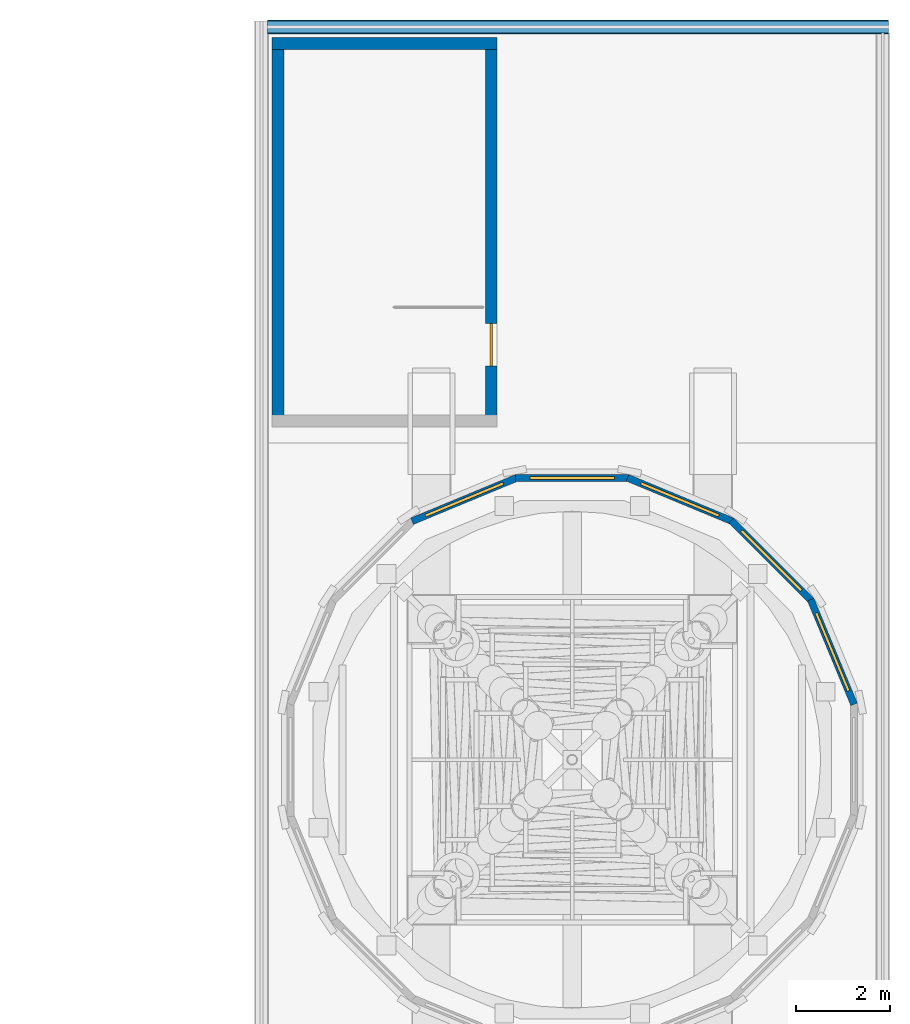
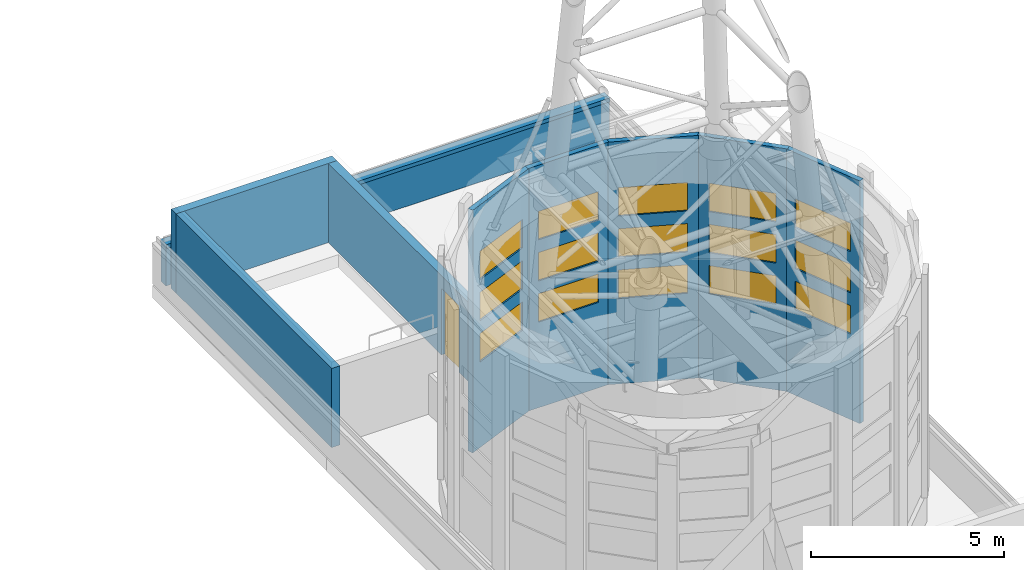
# One storey, part 15 of 36: 15 windows, 10 walls, 1 door, 16 openings.
"""IFC4 building model written with IfcOpenShell, lengths in metres."""

from ifc_helpers import new_model, si_unit, direction, frame, frame_2d, origin, place, context, subcontext, project, spatial, rectangle, extrude, material, layer, layer_set, type_object, element, fill, save


model = new_model("IFC4")

# Units and contexts
model_context = context("Model", 3, precision=1e-05, world=origin(), true_north=direction((0.0, 1.0)))
body_context = subcontext(model_context, "Body", "Model", "MODEL_VIEW")
ifc_project = project(units=[si_unit("LENGTHUNIT", "METRE"), si_unit("AREAUNIT", "SQUARE_METRE"), si_unit("VOLUMEUNIT", "CUBIC_METRE"), si_unit("PLANEANGLEUNIT", "RADIAN"), si_unit("MASSUNIT", "GRAM", prefix="KILO")], contexts=[model_context])

# Site, building, storey
site_placement = place(None, origin())
site = spatial("IfcSite", under=ifc_project, at=site_placement, CompositionType="ELEMENT")
building_placement = place(site_placement, origin())
building = spatial("IfcBuilding", under=site, at=building_placement, Name="Ipe Terrace Towers", CompositionType="ELEMENT")
storey_placement = place(building_placement, frame((0.0, 0.0, 264.89990234375)))
storey = spatial("IfcBuildingStorey", under=building, at=storey_placement, Name="Roof", CompositionType="ELEMENT", Elevation=264.89990234375)

# Walls
ifc_material_1 = material(Name="Concrete C40/50 with buff precast cladding", Category="concrete")
ifc_layer_1 = layer(ifc_material_1, 0.300048828125)
ifc_layer_set_1 = layer_set([ifc_layer_1], Name="PARAPET COPING 300")
wall_type_1 = type_object("IfcWallType", Name="PARAPET COPING 300", PredefinedType="STANDARD", material=ifc_layer_set_1)
wall_1_placement = place(storey_placement, frame((42.75, 15.625, 1.239990234375), z_axis=(0.0, 0.0, 1.0), x_axis=(-1.0, 0.0, 0.0)))
element("IfcWall", 1, at=wall_1_placement, inside=storey, type_object=wall_type_1, Name="parapet stone coping", PredefinedType="STANDARD", context=body_context, shape_type="SweptSolid", body=[
    extrude(rectangle(XDim=13.25, YDim=0.300048828125, at=frame_2d((6.625, 0.0))), origin(), (0.0, 0.0, 1.0), 0.1201171875),
])
ifc_material_2 = material(Name="Concrete C40/50 with buff precast cladding", Category="concrete")
ifc_layer_2 = layer(ifc_material_2, 0.25)
ifc_layer_set_2 = layer_set([ifc_layer_2], Name="PARAPET WALL 250")
wall_type_2 = type_object("IfcWallType", Name="PARAPET WALL 250", PredefinedType="STANDARD", material=ifc_layer_set_2)
wall_2_placement = place(storey_placement, frame((42.75, 15.625, 0.0400390625), z_axis=(0.0, 0.0, 1.0), x_axis=(-1.0, 0.0, 0.0)))
element("IfcWall", 2, at=wall_2_placement, inside=storey, type_object=wall_type_2, Name="parapet", PredefinedType="STANDARD", context=body_context, shape_type="SweptSolid", body=[
    extrude(rectangle(XDim=13.25, YDim=0.25, at=frame_2d((6.625, 0.0))), origin(), (0.0, 0.0, 1.0), 1.199951171875),
])

# Wall, openings, windows
ifc_material_3 = material(Name="Concrete C40/50 with buff precast cladding", Category="concrete")
ifc_layer_3 = layer(ifc_material_3, 0.14990234375)
ifc_layer_set_3 = layer_set([ifc_layer_3], Name="PLANT DRUM WALL 150")
wall_type_3 = type_object("IfcWallType", Name="PLANT DRUM WALL 150", PredefinedType="STANDARD", material=ifc_layer_set_3)
wall_3_placement = place(storey_placement, frame((42.011962890625, 1.180908203125, 0.0400390625), z_axis=(0.0, 0.0, 1.0), x_axis=(-0.382758783979, 0.923848317251, 0.0)))
wall_3 = element("IfcWall", 3, at=wall_3_placement, inside=storey, type_object=wall_type_3, Name="plant drum wall", PredefinedType="STANDARD", context=body_context, shape_type="SweptSolid", body=[
    extrude(rectangle(XDim=2.41943359375, YDim=0.14990234375, at=frame_2d((1.209716796875, 0.0))), origin(), (0.0, 0.0, 1.0), 7.66015625),
])
opening_1_placement = place(wall_3_placement, frame((0.31005859375, 0.0, 2.699951171875)))
opening_1 = element("IfcOpeningElement", 4, at=opening_1_placement, cuts=wall_3, Name="Opening T2-W-04-DR-001", PredefinedType="OPENING", context=body_context, shape_type="SweptSolid", body=[
    extrude(rectangle(XDim=1.800048828125, YDim=0.89990234375, at=frame_2d((0.89990234375, 0.449951171875))), frame((0.0, 0.0849609375, 0.0), z_axis=(0.0, -1.0, 0.0), x_axis=(1.0, 0.0, 0.0)), (0.0, 0.0, 1.0), 0.169921875),
])
opening_2_placement = place(wall_3_placement, frame((0.31005859375, 0.0, 4.0)))
opening_2 = element("IfcOpeningElement", 5, at=opening_2_placement, cuts=wall_3, Name="Opening T2-W-04-DR-002", PredefinedType="OPENING", context=body_context, shape_type="SweptSolid", body=[
    extrude(rectangle(XDim=1.800048828125, YDim=0.89990234375, at=frame_2d((0.89990234375, 0.449951171875))), frame((0.0, 0.0849609375, 0.0), z_axis=(0.0, -1.0, 0.0), x_axis=(1.0, 0.0, 0.0)), (0.0, 0.0, 1.0), 0.169921875),
])
opening_3_placement = place(wall_3_placement, frame((0.31005859375, 0.0, 5.300048828125)))
opening_3 = element("IfcOpeningElement", 6, at=opening_3_placement, cuts=wall_3, Name="Opening T2-W-04-DR-003", PredefinedType="OPENING", context=body_context, shape_type="SweptSolid", body=[
    extrude(rectangle(XDim=1.800048828125, YDim=0.89990234375, at=frame_2d((0.89990234375, 0.449951171875))), frame((0.0, 0.0849609375, 0.0), z_axis=(0.0, -1.0, 0.0), x_axis=(1.0, 0.0, 0.0)), (0.0, 0.0, 1.0), 0.169921875),
])
ifc_material_4 = material(Name="Aluminium alloy 6063-T6 louvre", Category="aluminium")
window_type = type_object("IfcWindowType", Name="LOUVRE WINDOW 1800 x 900", PartitioningType="SINGLE_PANEL", PredefinedType="WINDOW", material=ifc_material_4)
window_1_placement = place(opening_1_placement, origin())
window_1 = element("IfcWindow", 7, at=window_1_placement, inside=storey, type_object=window_type, Name="W-04 window", OverallHeight=0.89990234375, OverallWidth=1.800048828125, PartitioningType="SINGLE_PANEL", PredefinedType="WINDOW", context=body_context, shape_type="SweptSolid", body=[
    extrude(rectangle(XDim=1.800048828125, YDim=0.89990234375, at=frame_2d((0.89990234375, 0.449951171875))), frame((0.0, 0.030029296875, 0.0), z_axis=(0.0, -1.0, 0.0), x_axis=(1.0, 0.0, 0.0)), (0.0, 0.0, 1.0), 0.06005859375),
])
fill(opening_1, window_1)
window_2_placement = place(opening_2_placement, origin())
window_2 = element("IfcWindow", 8, at=window_2_placement, inside=storey, type_object=window_type, Name="W-04 window", OverallHeight=0.89990234375, OverallWidth=1.800048828125, PartitioningType="SINGLE_PANEL", PredefinedType="WINDOW", context=body_context, shape_type="SweptSolid", body=[
    extrude(rectangle(XDim=1.800048828125, YDim=0.89990234375, at=frame_2d((0.89990234375, 0.449951171875))), frame((0.0, 0.030029296875, 0.0), z_axis=(0.0, -1.0, 0.0), x_axis=(1.0, 0.0, 0.0)), (0.0, 0.0, 1.0), 0.06005859375),
])
fill(opening_2, window_2)
window_3_placement = place(opening_3_placement, origin())
window_3 = element("IfcWindow", 9, at=window_3_placement, inside=storey, type_object=window_type, Name="W-04 window", OverallHeight=0.89990234375, OverallWidth=1.800048828125, PartitioningType="SINGLE_PANEL", PredefinedType="WINDOW", context=body_context, shape_type="SweptSolid", body=[
    extrude(rectangle(XDim=1.800048828125, YDim=0.89990234375, at=frame_2d((0.89990234375, 0.449951171875))), frame((0.0, 0.030029296875, 0.0), z_axis=(0.0, -1.0, 0.0), x_axis=(1.0, 0.0, 0.0)), (0.0, 0.0, 1.0), 0.06005859375),
])
fill(opening_3, window_3)

wall_4_placement = place(storey_placement, frame((41.10205078125, 3.39208984375, 0.0400390625), z_axis=(0.0, 0.0, 1.0), x_axis=(-0.707106781187, 0.707106781187, 0.0)))
wall_4 = element("IfcWall", 10, at=wall_4_placement, inside=storey, type_object=wall_type_3, Name="plant drum wall", PredefinedType="STANDARD", context=body_context, shape_type="SweptSolid", body=[
    extrude(rectangle(XDim=2.418212890625, YDim=0.14990234375, at=frame_2d((1.208984375, 0.0))), origin(), (0.0, 0.0, 1.0), 7.66015625),
])
opening_4_placement = place(wall_4_placement, frame((0.31005859375, 0.0, 2.699951171875)))
opening_4 = element("IfcOpeningElement", 11, at=opening_4_placement, cuts=wall_4, Name="Opening T2-W-04-DR-011", PredefinedType="OPENING", context=body_context, shape_type="SweptSolid", body=[
    extrude(rectangle(XDim=1.800048828125, YDim=0.89990234375, at=frame_2d((0.89990234375, 0.449951171875))), frame((0.0, 0.0849609375, 0.0), z_axis=(0.0, -1.0, 0.0), x_axis=(1.0, 0.0, 0.0)), (0.0, 0.0, 1.0), 0.169921875),
])
opening_5_placement = place(wall_4_placement, frame((0.31005859375, 0.0, 4.0)))
opening_5 = element("IfcOpeningElement", 12, at=opening_5_placement, cuts=wall_4, Name="Opening T2-W-04-DR-012", PredefinedType="OPENING", context=body_context, shape_type="SweptSolid", body=[
    extrude(rectangle(XDim=1.800048828125, YDim=0.89990234375, at=frame_2d((0.89990234375, 0.449951171875))), frame((0.0, 0.0849609375, 0.0), z_axis=(0.0, -1.0, 0.0), x_axis=(1.0, 0.0, 0.0)), (0.0, 0.0, 1.0), 0.169921875),
])
opening_6_placement = place(wall_4_placement, frame((0.31005859375, 0.0, 5.300048828125)))
opening_6 = element("IfcOpeningElement", 13, at=opening_6_placement, cuts=wall_4, Name="Opening T2-W-04-DR-013", PredefinedType="OPENING", context=body_context, shape_type="SweptSolid", body=[
    extrude(rectangle(XDim=1.800048828125, YDim=0.89990234375, at=frame_2d((0.89990234375, 0.449951171875))), frame((0.0, 0.0849609375, 0.0), z_axis=(0.0, -1.0, 0.0), x_axis=(1.0, 0.0, 0.0)), (0.0, 0.0, 1.0), 0.169921875),
])
window_4_placement = place(opening_4_placement, origin())
window_4 = element("IfcWindow", 14, at=window_4_placement, inside=storey, type_object=window_type, Name="W-04 window", OverallHeight=0.89990234375, OverallWidth=1.800048828125, PartitioningType="SINGLE_PANEL", PredefinedType="WINDOW", context=body_context, shape_type="SweptSolid", body=[
    extrude(rectangle(XDim=1.800048828125, YDim=0.89990234375, at=frame_2d((0.89990234375, 0.449951171875))), frame((0.0, 0.030029296875, 0.0), z_axis=(0.0, -1.0, 0.0), x_axis=(1.0, 0.0, 0.0)), (0.0, 0.0, 1.0), 0.06005859375),
])
fill(opening_4, window_4)
window_5_placement = place(opening_5_placement, origin())
window_5 = element("IfcWindow", 15, at=window_5_placement, inside=storey, type_object=window_type, Name="W-04 window", OverallHeight=0.89990234375, OverallWidth=1.800048828125, PartitioningType="SINGLE_PANEL", PredefinedType="WINDOW", context=body_context, shape_type="SweptSolid", body=[
    extrude(rectangle(XDim=1.800048828125, YDim=0.89990234375, at=frame_2d((0.89990234375, 0.449951171875))), frame((0.0, 0.030029296875, 0.0), z_axis=(0.0, -1.0, 0.0), x_axis=(1.0, 0.0, 0.0)), (0.0, 0.0, 1.0), 0.06005859375),
])
fill(opening_5, window_5)
window_6_placement = place(opening_6_placement, origin())
window_6 = element("IfcWindow", 16, at=window_6_placement, inside=storey, type_object=window_type, Name="W-04 window", OverallHeight=0.89990234375, OverallWidth=1.800048828125, PartitioningType="SINGLE_PANEL", PredefinedType="WINDOW", context=body_context, shape_type="SweptSolid", body=[
    extrude(rectangle(XDim=1.800048828125, YDim=0.89990234375, at=frame_2d((0.89990234375, 0.449951171875))), frame((0.0, 0.030029296875, 0.0), z_axis=(0.0, -1.0, 0.0), x_axis=(1.0, 0.0, 0.0)), (0.0, 0.0, 1.0), 0.06005859375),
])
fill(opening_6, window_6)

wall_5_placement = place(storey_placement, frame((39.416015625, 5.0859375, 0.0400390625), z_axis=(0.0, 0.0, 1.0), x_axis=(-0.923848317251, 0.382758783979, 0.0)))
wall_5 = element("IfcWall", 17, at=wall_5_placement, inside=storey, type_object=wall_type_3, Name="plant drum wall", PredefinedType="STANDARD", context=body_context, shape_type="SweptSolid", body=[
    extrude(rectangle(XDim=2.41943359375, YDim=0.14990234375, at=frame_2d((1.209716796875, 0.0))), origin(), (0.0, 0.0, 1.0), 7.66015625),
])
opening_7_placement = place(wall_5_placement, frame((0.31005859375, 0.0, 2.699951171875)))
opening_7 = element("IfcOpeningElement", 18, at=opening_7_placement, cuts=wall_5, Name="Opening T2-W-04-DR-021", PredefinedType="OPENING", context=body_context, shape_type="SweptSolid", body=[
    extrude(rectangle(XDim=1.800048828125, YDim=0.89990234375, at=frame_2d((0.89990234375, 0.449951171875))), frame((0.0, 0.0849609375, 0.0), z_axis=(0.0, -1.0, 0.0), x_axis=(1.0, 0.0, 0.0)), (0.0, 0.0, 1.0), 0.169921875),
])
opening_8_placement = place(wall_5_placement, frame((0.31005859375, 0.0, 4.0)))
opening_8 = element("IfcOpeningElement", 19, at=opening_8_placement, cuts=wall_5, Name="Opening T2-W-04-DR-022", PredefinedType="OPENING", context=body_context, shape_type="SweptSolid", body=[
    extrude(rectangle(XDim=1.800048828125, YDim=0.89990234375, at=frame_2d((0.89990234375, 0.449951171875))), frame((0.0, 0.0849609375, 0.0), z_axis=(0.0, -1.0, 0.0), x_axis=(1.0, 0.0, 0.0)), (0.0, 0.0, 1.0), 0.169921875),
])
opening_9_placement = place(wall_5_placement, frame((0.31005859375, 0.0, 5.300048828125)))
opening_9 = element("IfcOpeningElement", 20, at=opening_9_placement, cuts=wall_5, Name="Opening T2-W-04-DR-023", PredefinedType="OPENING", context=body_context, shape_type="SweptSolid", body=[
    extrude(rectangle(XDim=1.800048828125, YDim=0.89990234375, at=frame_2d((0.89990234375, 0.449951171875))), frame((0.0, 0.0849609375, 0.0), z_axis=(0.0, -1.0, 0.0), x_axis=(1.0, 0.0, 0.0)), (0.0, 0.0, 1.0), 0.169921875),
])
window_7_placement = place(opening_7_placement, origin())
window_7 = element("IfcWindow", 21, at=window_7_placement, inside=storey, type_object=window_type, Name="W-04 window", OverallHeight=0.89990234375, OverallWidth=1.800048828125, PartitioningType="SINGLE_PANEL", PredefinedType="WINDOW", context=body_context, shape_type="SweptSolid", body=[
    extrude(rectangle(XDim=1.800048828125, YDim=0.89990234375, at=frame_2d((0.89990234375, 0.449951171875))), frame((0.0, 0.030029296875, 0.0), z_axis=(0.0, -1.0, 0.0), x_axis=(1.0, 0.0, 0.0)), (0.0, 0.0, 1.0), 0.06005859375),
])
fill(opening_7, window_7)
window_8_placement = place(opening_8_placement, origin())
window_8 = element("IfcWindow", 22, at=window_8_placement, inside=storey, type_object=window_type, Name="W-04 window", OverallHeight=0.89990234375, OverallWidth=1.800048828125, PartitioningType="SINGLE_PANEL", PredefinedType="WINDOW", context=body_context, shape_type="SweptSolid", body=[
    extrude(rectangle(XDim=1.800048828125, YDim=0.89990234375, at=frame_2d((0.89990234375, 0.449951171875))), frame((0.0, 0.030029296875, 0.0), z_axis=(0.0, -1.0, 0.0), x_axis=(1.0, 0.0, 0.0)), (0.0, 0.0, 1.0), 0.06005859375),
])
fill(opening_8, window_8)
window_9_placement = place(opening_9_placement, origin())
window_9 = element("IfcWindow", 23, at=window_9_placement, inside=storey, type_object=window_type, Name="W-04 window", OverallHeight=0.89990234375, OverallWidth=1.800048828125, PartitioningType="SINGLE_PANEL", PredefinedType="WINDOW", context=body_context, shape_type="SweptSolid", body=[
    extrude(rectangle(XDim=1.800048828125, YDim=0.89990234375, at=frame_2d((0.89990234375, 0.449951171875))), frame((0.0, 0.030029296875, 0.0), z_axis=(0.0, -1.0, 0.0), x_axis=(1.0, 0.0, 0.0)), (0.0, 0.0, 1.0), 0.06005859375),
])
fill(opening_9, window_9)

wall_6_placement = place(storey_placement, frame((37.2099609375, 6.006103515625, 0.0400390625), z_axis=(0.0, 0.0, 1.0), x_axis=(-1.0, 0.0, 0.0)))
wall_6 = element("IfcWall", 24, at=wall_6_placement, inside=storey, type_object=wall_type_3, Name="plant drum wall", PredefinedType="STANDARD", context=body_context, shape_type="SweptSolid", body=[
    extrude(rectangle(XDim=2.419921875, YDim=0.14990234375, at=frame_2d((1.2099609375, 0.0))), origin(), (0.0, 0.0, 1.0), 7.66015625),
])
opening_10_placement = place(wall_6_placement, frame((0.31005859375, 0.0, 2.699951171875)))
opening_10 = element("IfcOpeningElement", 25, at=opening_10_placement, cuts=wall_6, Name="Opening T2-W-04-DR-031", PredefinedType="OPENING", context=body_context, shape_type="SweptSolid", body=[
    extrude(rectangle(XDim=1.800048828125, YDim=0.89990234375, at=frame_2d((0.89990234375, 0.449951171875))), frame((0.0, 0.0849609375, 0.0), z_axis=(0.0, -1.0, 0.0), x_axis=(1.0, 0.0, 0.0)), (0.0, 0.0, 1.0), 0.169921875),
])
opening_11_placement = place(wall_6_placement, frame((0.31005859375, 0.0, 4.0)))
opening_11 = element("IfcOpeningElement", 26, at=opening_11_placement, cuts=wall_6, Name="Opening T2-W-04-DR-032", PredefinedType="OPENING", context=body_context, shape_type="SweptSolid", body=[
    extrude(rectangle(XDim=1.800048828125, YDim=0.89990234375, at=frame_2d((0.89990234375, 0.449951171875))), frame((0.0, 0.0849609375, 0.0), z_axis=(0.0, -1.0, 0.0), x_axis=(1.0, 0.0, 0.0)), (0.0, 0.0, 1.0), 0.169921875),
])
opening_12_placement = place(wall_6_placement, frame((0.31005859375, 0.0, 5.300048828125)))
opening_12 = element("IfcOpeningElement", 27, at=opening_12_placement, cuts=wall_6, Name="Opening T2-W-04-DR-033", PredefinedType="OPENING", context=body_context, shape_type="SweptSolid", body=[
    extrude(rectangle(XDim=1.800048828125, YDim=0.89990234375, at=frame_2d((0.89990234375, 0.449951171875))), frame((0.0, 0.0849609375, 0.0), z_axis=(0.0, -1.0, 0.0), x_axis=(1.0, 0.0, 0.0)), (0.0, 0.0, 1.0), 0.169921875),
])
window_10_placement = place(opening_10_placement, origin())
window_10 = element("IfcWindow", 28, at=window_10_placement, inside=storey, type_object=window_type, Name="W-04 window", OverallHeight=0.89990234375, OverallWidth=1.800048828125, PartitioningType="SINGLE_PANEL", PredefinedType="WINDOW", context=body_context, shape_type="SweptSolid", body=[
    extrude(rectangle(XDim=1.800048828125, YDim=0.89990234375, at=frame_2d((0.89990234375, 0.449951171875))), frame((0.0, 0.030029296875, 0.0), z_axis=(0.0, -1.0, 0.0), x_axis=(1.0, 0.0, 0.0)), (0.0, 0.0, 1.0), 0.06005859375),
])
fill(opening_10, window_10)
window_11_placement = place(opening_11_placement, origin())
window_11 = element("IfcWindow", 29, at=window_11_placement, inside=storey, type_object=window_type, Name="W-04 window", OverallHeight=0.89990234375, OverallWidth=1.800048828125, PartitioningType="SINGLE_PANEL", PredefinedType="WINDOW", context=body_context, shape_type="SweptSolid", body=[
    extrude(rectangle(XDim=1.800048828125, YDim=0.89990234375, at=frame_2d((0.89990234375, 0.449951171875))), frame((0.0, 0.030029296875, 0.0), z_axis=(0.0, -1.0, 0.0), x_axis=(1.0, 0.0, 0.0)), (0.0, 0.0, 1.0), 0.06005859375),
])
fill(opening_11, window_11)
window_12_placement = place(opening_12_placement, origin())
window_12 = element("IfcWindow", 30, at=window_12_placement, inside=storey, type_object=window_type, Name="W-04 window", OverallHeight=0.89990234375, OverallWidth=1.800048828125, PartitioningType="SINGLE_PANEL", PredefinedType="WINDOW", context=body_context, shape_type="SweptSolid", body=[
    extrude(rectangle(XDim=1.800048828125, YDim=0.89990234375, at=frame_2d((0.89990234375, 0.449951171875))), frame((0.0, 0.030029296875, 0.0), z_axis=(0.0, -1.0, 0.0), x_axis=(1.0, 0.0, 0.0)), (0.0, 0.0, 1.0), 0.06005859375),
])
fill(opening_12, window_12)

wall_7_placement = place(storey_placement, frame((34.819091796875, 6.011962890625, 0.0400390625), z_axis=(0.0, 0.0, 1.0), x_axis=(-0.923848317251, -0.382758783979, 0.0)))
wall_7 = element("IfcWall", 31, at=wall_7_placement, inside=storey, type_object=wall_type_3, Name="plant drum wall", PredefinedType="STANDARD", context=body_context, shape_type="SweptSolid", body=[
    extrude(rectangle(XDim=2.41943359375, YDim=0.14990234375, at=frame_2d((1.209716796875, 0.0))), origin(), (0.0, 0.0, 1.0), 7.66015625),
])
opening_13_placement = place(wall_7_placement, frame((0.31005859375, 0.0, 2.699951171875)))
opening_13 = element("IfcOpeningElement", 32, at=opening_13_placement, cuts=wall_7, Name="Opening T2-W-04-DR-041", PredefinedType="OPENING", context=body_context, shape_type="SweptSolid", body=[
    extrude(rectangle(XDim=1.800048828125, YDim=0.89990234375, at=frame_2d((0.89990234375, 0.449951171875))), frame((0.0, 0.0849609375, 0.0), z_axis=(0.0, -1.0, 0.0), x_axis=(1.0, 0.0, 0.0)), (0.0, 0.0, 1.0), 0.169921875),
])
opening_14_placement = place(wall_7_placement, frame((0.31005859375, 0.0, 4.0)))
opening_14 = element("IfcOpeningElement", 33, at=opening_14_placement, cuts=wall_7, Name="Opening T2-W-04-DR-042", PredefinedType="OPENING", context=body_context, shape_type="SweptSolid", body=[
    extrude(rectangle(XDim=1.800048828125, YDim=0.89990234375, at=frame_2d((0.89990234375, 0.449951171875))), frame((0.0, 0.0849609375, 0.0), z_axis=(0.0, -1.0, 0.0), x_axis=(1.0, 0.0, 0.0)), (0.0, 0.0, 1.0), 0.169921875),
])
opening_15_placement = place(wall_7_placement, frame((0.31005859375, 0.0, 5.300048828125)))
opening_15 = element("IfcOpeningElement", 34, at=opening_15_placement, cuts=wall_7, Name="Opening T2-W-04-DR-043", PredefinedType="OPENING", context=body_context, shape_type="SweptSolid", body=[
    extrude(rectangle(XDim=1.800048828125, YDim=0.89990234375, at=frame_2d((0.89990234375, 0.449951171875))), frame((0.0, 0.0849609375, 0.0), z_axis=(0.0, -1.0, 0.0), x_axis=(1.0, 0.0, 0.0)), (0.0, 0.0, 1.0), 0.169921875),
])
window_13_placement = place(opening_13_placement, origin())
window_13 = element("IfcWindow", 35, at=window_13_placement, inside=storey, type_object=window_type, Name="W-04 window", OverallHeight=0.89990234375, OverallWidth=1.800048828125, PartitioningType="SINGLE_PANEL", PredefinedType="WINDOW", context=body_context, shape_type="SweptSolid", body=[
    extrude(rectangle(XDim=1.800048828125, YDim=0.89990234375, at=frame_2d((0.89990234375, 0.449951171875))), frame((0.0, 0.030029296875, 0.0), z_axis=(0.0, -1.0, 0.0), x_axis=(1.0, 0.0, 0.0)), (0.0, 0.0, 1.0), 0.06005859375),
])
fill(opening_13, window_13)
window_14_placement = place(opening_14_placement, origin())
window_14 = element("IfcWindow", 36, at=window_14_placement, inside=storey, type_object=window_type, Name="W-04 window", OverallHeight=0.89990234375, OverallWidth=1.800048828125, PartitioningType="SINGLE_PANEL", PredefinedType="WINDOW", context=body_context, shape_type="SweptSolid", body=[
    extrude(rectangle(XDim=1.800048828125, YDim=0.89990234375, at=frame_2d((0.89990234375, 0.449951171875))), frame((0.0, 0.030029296875, 0.0), z_axis=(0.0, -1.0, 0.0), x_axis=(1.0, 0.0, 0.0)), (0.0, 0.0, 1.0), 0.06005859375),
])
fill(opening_14, window_14)
window_15_placement = place(opening_15_placement, origin())
window_15 = element("IfcWindow", 37, at=window_15_placement, inside=storey, type_object=window_type, Name="W-04 window", OverallHeight=0.89990234375, OverallWidth=1.800048828125, PartitioningType="SINGLE_PANEL", PredefinedType="WINDOW", context=body_context, shape_type="SweptSolid", body=[
    extrude(rectangle(XDim=1.800048828125, YDim=0.89990234375, at=frame_2d((0.89990234375, 0.449951171875))), frame((0.0, 0.030029296875, 0.0), z_axis=(0.0, -1.0, 0.0), x_axis=(1.0, 0.0, 0.0)), (0.0, 0.0, 1.0), 0.06005859375),
])
fill(opening_15, window_15)

# Walls
ifc_material_5 = material(Name="Concrete C40/50", Category="concrete")
ifc_layer_4 = layer(ifc_material_5, 0.25)
ifc_layer_set_4 = layer_set([ifc_layer_4], Name="RW250 STAIR HEAD-HOUSE WALL 250 C40-50")
wall_type_4 = type_object("IfcWallType", Name="RW250 STAIR HEAD-HOUSE WALL 250 C40-50", PredefinedType="SHEAR", material=ifc_layer_set_4)
wall_8_placement = place(storey_placement, frame((34.39990234375, 15.27490234375, 0.0), z_axis=(0.0, 0.0, 1.0), x_axis=(-1.0, 0.0, 0.0)))
element("IfcWall", 38, at=wall_8_placement, inside=storey, type_object=wall_type_4, Name="Stair head-house wall T2-C1-far", PredefinedType="SHEAR", context=body_context, shape_type="SweptSolid", body=[
    extrude(rectangle(XDim=4.7998046875, YDim=0.25, at=frame_2d((2.39990234375, 0.0))), origin(), (0.0, 0.0, 1.0), 2.5),
])
wall_9_placement = place(storey_placement, frame((29.72509765625, 7.10009765625, 0.0), z_axis=(0.0, 0.0, 1.0), x_axis=(0.0, 1.0, 0.0)))
element("IfcWall", 39, at=wall_9_placement, inside=storey, type_object=wall_type_4, Name="Stair head-house wall T2-C1-back", PredefinedType="SHEAR", context=body_context, shape_type="SweptSolid", body=[
    extrude(rectangle(XDim=8.2998046875, YDim=0.25, at=frame_2d((4.14990234375, 0.0))), origin(), (0.0, 0.0, 1.0), 2.5),
])

# Wall, opening, door
wall_10_placement = place(storey_placement, frame((34.27490234375, 7.10009765625, 0.0), z_axis=(0.0, 0.0, 1.0), x_axis=(0.0, 1.0, 0.0)))
wall_10 = element("IfcWall", 40, at=wall_10_placement, inside=storey, type_object=wall_type_4, Name="Stair head-house wall T2-C1-spine", PredefinedType="SHEAR", context=body_context, shape_type="SweptSolid", body=[
    extrude(rectangle(XDim=8.2998046875, YDim=0.25, at=frame_2d((4.14990234375, 0.0))), origin(), (0.0, 0.0, 1.0), 2.5),
])
opening_16_placement = place(wall_10_placement, frame((1.300048828125, 0.0, 0.0)))
opening_16 = element("IfcOpeningElement", 41, at=opening_16_placement, cuts=wall_10, Name="Opening T2C1-RD", PredefinedType="OPENING", context=body_context, shape_type="SweptSolid", body=[
    extrude(rectangle(XDim=0.89990234375, YDim=2.10009765625, at=frame_2d((0.449951171875, 1.050048828125))), frame((0.0, 0.135009765625, 0.0), z_axis=(0.0, -1.0, 0.0), x_axis=(1.0, 0.0, 0.0)), (0.0, 0.0, 1.0), 0.27001953125),
])
ifc_material_6 = material(Name="Fire-rated timber door leaf", Category="wood")
door_type = type_object("IfcDoorType", Name="Stair door 900 x 2100 FD60", OperationType="NOTDEFINED", PredefinedType="DOOR", material=ifc_material_6)
door_placement = place(opening_16_placement, origin())
door = element("IfcDoor", 42, at=door_placement, inside=storey, type_object=door_type, Name="Stair door T2C1-RD", OperationType="SINGLE_SWING_LEFT", OverallHeight=2.10009765625, OverallWidth=0.89990234375, PredefinedType="DOOR", context=body_context, shape_type="SweptSolid", body=[
    extrude(rectangle(XDim=0.89990234375, YDim=2.10009765625, at=frame_2d((0.449951171875, 1.050048828125))), frame((0.0, 0.02490234375, 0.0), z_axis=(0.0, -1.0, 0.0), x_axis=(1.0, 0.0, 0.0)), (0.0, 0.0, 1.0), 0.050048828125),
])
fill(opening_16, door)

save(model, "model.ifc")
